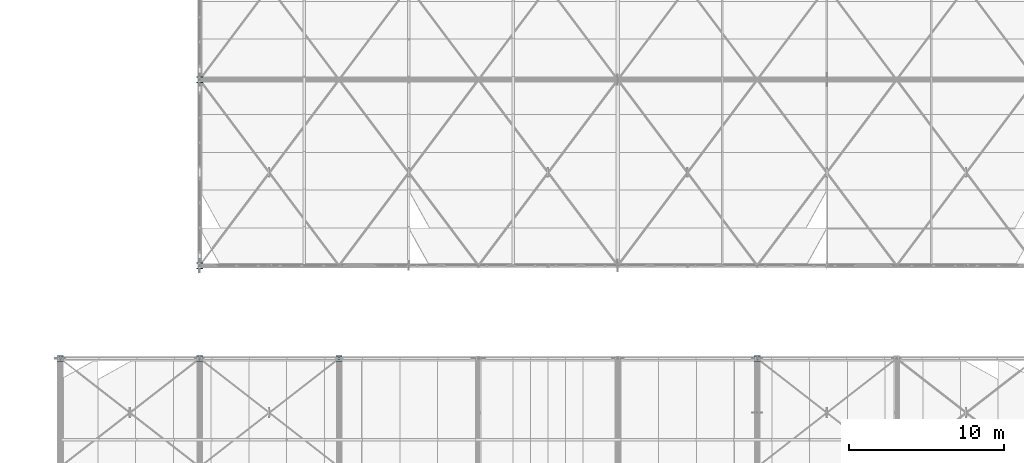
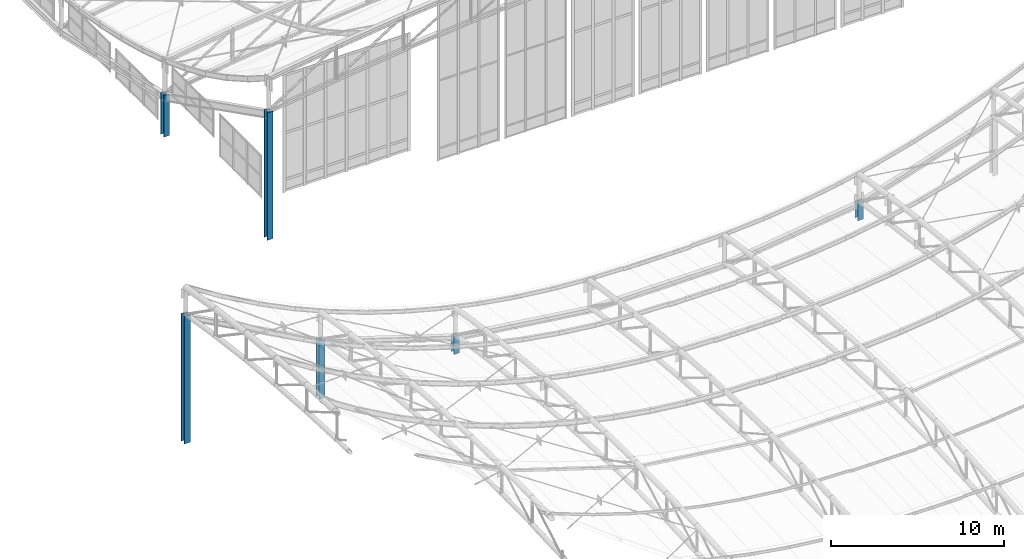
# One storey, part 3 of 262: 6 columns.
"""IFC4 building model written with IfcOpenShell, lengths in metres."""

from ifc_helpers import new_model, si_unit, derived_unit, direction, frame, origin, origin_2d, place, context, subcontext, project, spatial, i_section, extrude, material, material_profile, profile_set, type_object, element, save


model = new_model("IFC4")

# Units and contexts
model_context = context("Model", 3, precision=1e-05, world=origin(), true_north=direction((0.0, 1.0)))
body_context = subcontext(model_context, "Body", "Model", "MODEL_VIEW")
ifc_project = project(units=[si_unit("LENGTHUNIT", "METRE"), si_unit("AREAUNIT", "SQUARE_METRE"), si_unit("VOLUMEUNIT", "CUBIC_METRE"), si_unit("PLANEANGLEUNIT", "RADIAN"), si_unit("MASSUNIT", "GRAM", prefix="KILO"), derived_unit("THERMALTRANSMITTANCEUNIT", [(si_unit("POWERUNIT", "WATT"), 1), (si_unit("LENGTHUNIT", "METRE"), -2), (si_unit("THERMODYNAMICTEMPERATUREUNIT", "KELVIN"), -1)])], contexts=[model_context])

# Site, building, storey
site_placement = place(None, origin())
site = spatial("IfcSite", under=ifc_project, at=site_placement, CompositionType="ELEMENT")
building_placement = place(site_placement, origin())
building = spatial("IfcBuilding", under=site, at=building_placement, Name="Almenara Railside Exhibition Hall", CompositionType="ELEMENT")
storey_placement = place(building_placement, frame((0.0, 0.0, 21.699951171875)))
storey = spatial("IfcBuildingStorey", under=building, at=storey_placement, Name="RF", CompositionType="ELEMENT", Elevation=21.699951171875)

# Columns
ifc_material = material(Name="Structural steel S355JR", Category="steel")
ifc_material_profile_1 = material_profile(ifc_material, i_section(OverallWidth=0.37060546875, OverallDepth=0.362060546875, WebThickness=0.01220703125, FlangeThickness=0.020751953125, FilletRadius=0.01513671875, at=origin_2d()), Name="UC 356x368x153")
ifc_profile_set_1 = profile_set([ifc_material_profile_1], Name="Structural steel S355JR")
column_type_1 = type_object("IfcColumnType", Name="Steel Column UC 356x368x153 S355JR", PredefinedType="COLUMN", material=ifc_profile_set_1)
for number, where, z_axis, x_axis, name in (
    (1, (21.0, 42.0, -10.0), (0.0, 0.0, 1.0), (1.0, 0.0, 0.0), "V4 scroll portal column 3"),
    (2, (48.0, 42.0, -10.0), (0.0, 0.0, 1.0), (1.0, 0.0, 0.0), "V4 scroll portal column 6"),
):
    element("IfcColumn", number, at=place(storey_placement, frame(where, z_axis=z_axis, x_axis=x_axis)), inside=storey, type_object=column_type_1, Name=name, PredefinedType="COLUMN", context=body_context, shape_type="SweptSolid", body=[
        extrude(i_section(OverallWidth=0.37060546875, OverallDepth=0.362060546875, WebThickness=0.01220703125, FlangeThickness=0.020751953125, FilletRadius=0.01513671875, at=origin_2d()), origin(), (0.0, 0.0, 1.0), 1.2294921875),
    ])
ifc_material_profile_2 = material_profile(ifc_material, i_section(OverallWidth=0.37255859375, OverallDepth=0.3681640625, WebThickness=0.014404296875, FlangeThickness=0.023681640625, FilletRadius=0.01513671875, at=origin_2d()), Name="UC 356x368x177")
ifc_profile_set_2 = profile_set([ifc_material_profile_2], Name="Structural steel S355JR")
column_type_2 = type_object("IfcColumnType", Name="Steel Column UC 356x368x177 S355JR", PredefinedType="COLUMN", material=ifc_profile_set_2)
column_1_placement = place(storey_placement, frame((12.0, 60.0, -2.39990234375), z_axis=(0.0, 0.0, 1.0), x_axis=(1.0, 0.0, 0.0)))
element("IfcColumn", 3, at=column_1_placement, inside=storey, type_object=column_type_2, Name="V1 scroll portal column 2", PredefinedType="COLUMN", context=body_context, shape_type="SweptSolid", body=[
    extrude(i_section(OverallWidth=0.37255859375, OverallDepth=0.3681640625, WebThickness=0.014404296875, FlangeThickness=0.023681640625, FilletRadius=0.01513671875, at=origin_2d()), origin(), (0.0, 0.0, 1.0), 2.941162109375),
])
column_2_placement = place(storey_placement, frame((12.0, 42.0, -10.0), z_axis=(0.0, 0.0, 1.0), x_axis=(1.0, 0.0, 0.0)))
element("IfcColumn", 4, at=column_2_placement, inside=storey, type_object=column_type_2, Name="V4 scroll portal column 2", PredefinedType="COLUMN", context=body_context, shape_type="SweptSolid", body=[
    extrude(i_section(OverallWidth=0.37255859375, OverallDepth=0.3681640625, WebThickness=0.014404296875, FlangeThickness=0.023681640625, FilletRadius=0.01513671875, at=origin_2d()), origin(), (0.0, 0.0, 1.0), 4.100830078125),
])
ifc_material_profile_3 = material_profile(ifc_material, i_section(OverallWidth=0.394775390625, OverallDepth=0.381103515625, WebThickness=0.018310546875, FlangeThickness=0.0302734375, FilletRadius=0.01513671875, at=origin_2d()), Name="UC 356x406x235")
ifc_profile_set_3 = profile_set([ifc_material_profile_3], Name="Structural steel S355JR")
column_type_3 = type_object("IfcColumnType", Name="Steel Column UC 356x406x235 S355JR", PredefinedType="COLUMN", material=ifc_profile_set_3)
for number, where, z_axis, x_axis, name in (
    (5, (12.0, 48.0, -2.39990234375), (0.0, 0.0, 1.0), (1.0, 0.0, 0.0), "V1 scroll portal column 1"),
    (6, (3.0, 42.0, -10.0), (0.0, 0.0, 1.0), (1.0, 0.0, 0.0), "V4 scroll portal column 1"),
):
    element("IfcColumn", number, at=place(storey_placement, frame(where, z_axis=z_axis, x_axis=x_axis)), inside=storey, type_object=column_type_3, Name=name, PredefinedType="COLUMN", context=body_context, shape_type="SweptSolid", body=[
        extrude(i_section(OverallWidth=0.394775390625, OverallDepth=0.381103515625, WebThickness=0.018310546875, FlangeThickness=0.0302734375, FilletRadius=0.01513671875, at=origin_2d()), origin(), (0.0, 0.0, 1.0), 9.0),
    ])

save(model, "model.ifc")
